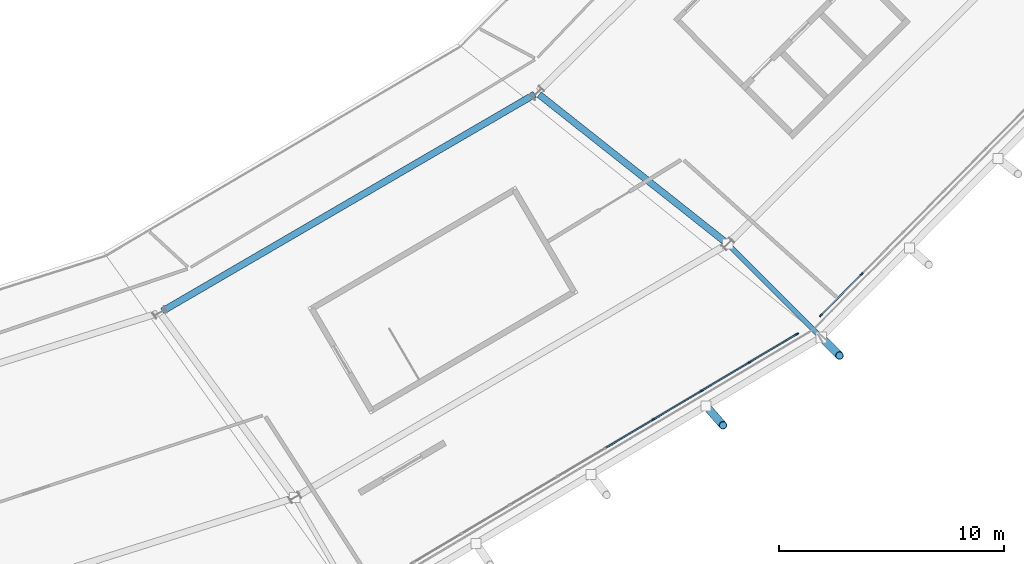
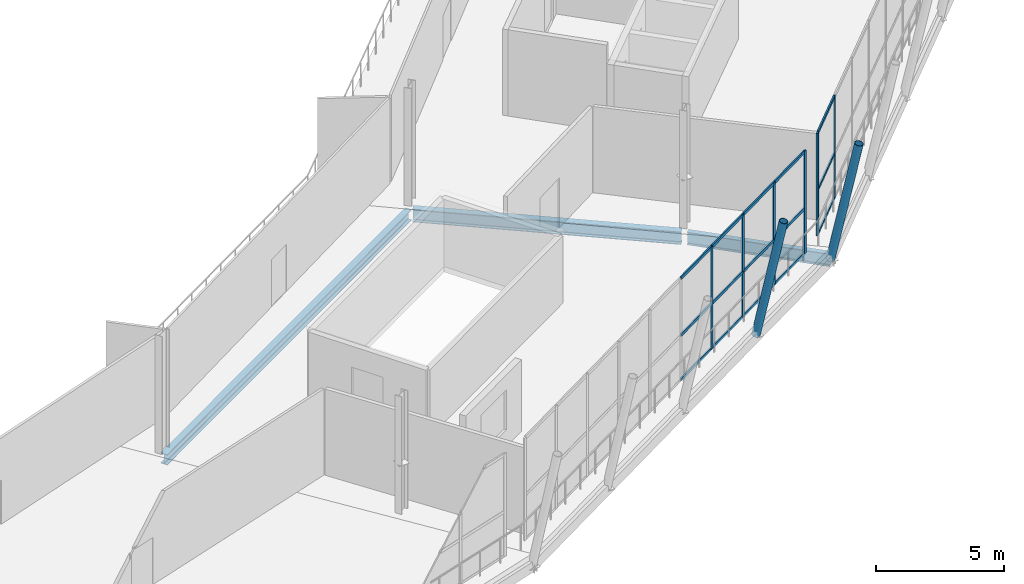
# One storey, part 34 of 99: 23 members, 3 beams, 2 elements without a shape of their own.
"""IFC4 building model written with IfcOpenShell, lengths in metres."""

from ifc_helpers import new_model, si_unit, direction, frame, origin, origin_2d, place, context, subcontext, project, spatial, rectangle, hollow_circle, i_section, extrude, material, material_profile, profile_set, type_object, element, aggregate, save


model = new_model("IFC4")

# Units and contexts
model_context = context("Model", 3, precision=1e-05, world=origin(), true_north=direction((0.0, 1.0)))
body_context = subcontext(model_context, "Body", "Model", "MODEL_VIEW")
ifc_project = project(units=[si_unit("LENGTHUNIT", "METRE"), si_unit("AREAUNIT", "SQUARE_METRE"), si_unit("VOLUMEUNIT", "CUBIC_METRE"), si_unit("PLANEANGLEUNIT", "RADIAN"), si_unit("MASSUNIT", "GRAM", prefix="KILO")], contexts=[model_context])

# Site, building, storey
site_placement = place(None, origin())
site = spatial("IfcSite", under=ifc_project, at=site_placement, CompositionType="ELEMENT")
building_placement = place(site_placement, origin())
building = spatial("IfcBuilding", under=site, at=building_placement, Name="Zlatoyarsky Gate Stadium", CompositionType="ELEMENT")
storey_placement = place(building_placement, frame((0.0, 0.0, 26.199951171875)))
storey = spatial("IfcBuildingStorey", under=building, at=storey_placement, Name="L05", CompositionType="ELEMENT", Elevation=26.199951171875)

# Curtain wall, members
ifc_material_1 = material(Name="Thermally broken anodised aluminium curtain wall", Category="aluminium")
curtain_wall_type = type_object("IfcCurtainWallType", Name="UNITISED SKYBOX RING GLAZING L05", PredefinedType="USERDEFINED", material=ifc_material_1)
curtain_wall_1_placement = place(storey_placement, origin())
curtain_wall_1 = element("IfcCurtainWall", 1, at=curtain_wall_1_placement, inside=storey, type_object=curtain_wall_type, Name="Curtain wall CW-L05-20", ObjectType="UNITISED GLAZING", PredefinedType="USERDEFINED")
ifc_material_2 = material(Name="Anodised aluminium 6063-T6", Category="aluminium")
ifc_material_profile_1 = material_profile(ifc_material_2, rectangle(XDim=0.06494140625, YDim=0.159912109375, at=origin_2d()), Name="ALU 65X160")
ifc_profile_set_1 = profile_set([ifc_material_profile_1], Name="Anodised aluminium 6063-T6")
member_type_1 = type_object("IfcMemberType", Name="ALUMINIUM MULLION 65X160", PredefinedType="MULLION", material=ifc_profile_set_1)
member_1_placement = place(storey_placement, frame((173.45849609375, 21.98779296875, 0.0), z_axis=(0.0, 0.0, 1.0), x_axis=(-0.511577166542, 0.859237337802, 0.0)))
member_1 = element("IfcMember", 2, at=member_1_placement, type_object=member_type_1, Name="CW-UG5 mullion 7", PredefinedType="MULLION", context=body_context, shape_type="SweptSolid", body=[
    extrude(rectangle(XDim=0.06494140625, YDim=0.159912109375, at=origin_2d()), origin(), (0.0, 0.0, 1.0), 4.880126953125),
])
member_2_placement = place(storey_placement, frame((175.593505859375, 23.259033203125, 0.0), z_axis=(0.0, 0.0, 1.0), x_axis=(-0.511577166542, 0.859237337802, 0.0)))
member_2 = element("IfcMember", 3, at=member_2_placement, type_object=member_type_1, Name="CW-UG5 mullion 8", PredefinedType="MULLION", context=body_context, shape_type="SweptSolid", body=[
    extrude(rectangle(XDim=0.06494140625, YDim=0.159912109375, at=origin_2d()), origin(), (0.0, 0.0, 1.0), 4.880126953125),
])
member_3_placement = place(storey_placement, frame((177.728759765625, 24.5302734375, 0.0), z_axis=(0.0, 0.0, 1.0), x_axis=(-0.511577166542, 0.859237337802, 0.0)))
member_3 = element("IfcMember", 4, at=member_3_placement, type_object=member_type_1, Name="CW-UG5 mullion 9", PredefinedType="MULLION", context=body_context, shape_type="SweptSolid", body=[
    extrude(rectangle(XDim=0.06494140625, YDim=0.159912109375, at=origin_2d()), origin(), (0.0, 0.0, 1.0), 4.880126953125),
])
member_4_placement = place(storey_placement, frame((179.8359375, 25.78466796875, 0.0), z_axis=(0.0, 0.0, 1.0), x_axis=(-0.511577166542, 0.859237337802, 0.0)))
member_4 = element("IfcMember", 5, at=member_4_placement, type_object=member_type_1, Name="CW-UG5 mullion 10", PredefinedType="MULLION", context=body_context, shape_type="SweptSolid", body=[
    extrude(rectangle(XDim=0.06494140625, YDim=0.159912109375, at=origin_2d()), origin(), (0.0, 0.0, 1.0), 4.880126953125),
])

curtain_wall_2_placement = place(storey_placement, origin())
curtain_wall_2 = element("IfcCurtainWall", 6, at=curtain_wall_2_placement, inside=storey, type_object=curtain_wall_type, Name="Curtain wall CW-L05-21", ObjectType="UNITISED GLAZING", PredefinedType="USERDEFINED")
member_5_placement = place(storey_placement, frame((180.90234375, 26.619140625, 0.0), z_axis=(0.0, 0.0, 1.0), x_axis=(-0.711033343632, 0.703158292451, 0.0)))
member_5 = element("IfcMember", 7, at=member_5_placement, type_object=member_type_1, Name="CW-UG5 mullion 1", PredefinedType="MULLION", context=body_context, shape_type="SweptSolid", body=[
    extrude(rectangle(XDim=0.06494140625, YDim=0.159912109375, at=origin_2d()), origin(), (0.0, 0.0, 1.0), 4.880126953125),
])
member_6_placement = place(storey_placement, frame((182.715576171875, 28.45263671875, 0.0), z_axis=(0.0, 0.0, 1.0), x_axis=(-0.711033343632, 0.703158292451, 0.0)))
member_6 = element("IfcMember", 8, at=member_6_placement, type_object=member_type_1, Name="CW-UG5 mullion 2", PredefinedType="MULLION", context=body_context, shape_type="SweptSolid", body=[
    extrude(rectangle(XDim=0.06494140625, YDim=0.159912109375, at=origin_2d()), origin(), (0.0, 0.0, 1.0), 4.880126953125),
])

# Member
ifc_material_profile_2 = material_profile(ifc_material_2, rectangle(XDim=0.06494140625, YDim=0.139892578125, at=origin_2d()), Name="ALU 65X140")
ifc_profile_set_2 = profile_set([ifc_material_profile_2], Name="Anodised aluminium 6063-T6")
member_type_2 = type_object("IfcMemberType", Name="ALUMINIUM TRANSOM 65X140", PredefinedType="USERDEFINED", material=ifc_profile_set_2)
member_7_placement = place(storey_placement, frame((171.351318359375, 20.733154296875, 0.032470703125), z_axis=(0.859206295703, 0.511629300788, 0.0), x_axis=(-0.511629300788, 0.859206295703, 0.0)))
member_7 = element("IfcMember", 9, at=member_7_placement, type_object=member_type_2, Name="CW-UG5 transom 6.1", ObjectType="TRANSOM", PredefinedType="USERDEFINED", context=body_context, shape_type="SweptSolid", body=[
    extrude(rectangle(XDim=0.06494140625, YDim=0.139892578125, at=origin_2d()), origin(), (0.0, 0.0, 1.0), 2.419677734375),
])

member_8_placement = place(storey_placement, frame((171.351318359375, 20.733154296875, 2.150146484375), z_axis=(0.859206295703, 0.511629300788, 0.0), x_axis=(-0.511629300788, 0.859206295703, 0.0)))
member_8 = element("IfcMember", 10, at=member_8_placement, type_object=member_type_2, Name="CW-UG5 transom 6.2", ObjectType="TRANSOM", PredefinedType="USERDEFINED", context=body_context, shape_type="SweptSolid", body=[
    extrude(rectangle(XDim=0.06494140625, YDim=0.139892578125, at=origin_2d()), origin(), (0.0, 0.0, 1.0), 2.419677734375),
])

member_9_placement = place(storey_placement, frame((171.351318359375, 20.733154296875, 4.84765625), z_axis=(0.859206295703, 0.511629300788, 0.0), x_axis=(-0.511629300788, 0.859206295703, 0.0)))
member_9 = element("IfcMember", 11, at=member_9_placement, type_object=member_type_2, Name="CW-UG5 transom 6.3", ObjectType="TRANSOM", PredefinedType="USERDEFINED", context=body_context, shape_type="SweptSolid", body=[
    extrude(rectangle(XDim=0.06494140625, YDim=0.139892578125, at=origin_2d()), origin(), (0.0, 0.0, 1.0), 2.419677734375),
])

member_10_placement = place(storey_placement, frame((173.486328125, 22.00439453125, 0.032470703125), z_axis=(0.859277047408, 0.511510464994, 0.0), x_axis=(-0.511510464994, 0.859277047408, 0.0)))
member_10 = element("IfcMember", 12, at=member_10_placement, type_object=member_type_2, Name="CW-UG5 transom 7.1", ObjectType="TRANSOM", PredefinedType="USERDEFINED", context=body_context, shape_type="SweptSolid", body=[
    extrude(rectangle(XDim=0.06494140625, YDim=0.139892578125, at=origin_2d()), origin(), (0.0, 0.0, 1.0), 2.419921875),
])

member_11_placement = place(storey_placement, frame((173.486328125, 22.00439453125, 2.150146484375), z_axis=(0.859277047408, 0.511510464994, 0.0), x_axis=(-0.511510464994, 0.859277047408, 0.0)))
member_11 = element("IfcMember", 13, at=member_11_placement, type_object=member_type_2, Name="CW-UG5 transom 7.2", ObjectType="TRANSOM", PredefinedType="USERDEFINED", context=body_context, shape_type="SweptSolid", body=[
    extrude(rectangle(XDim=0.06494140625, YDim=0.139892578125, at=origin_2d()), origin(), (0.0, 0.0, 1.0), 2.419921875),
])

member_12_placement = place(storey_placement, frame((173.486328125, 22.00439453125, 4.84765625), z_axis=(0.859277047408, 0.511510464994, 0.0), x_axis=(-0.511510464994, 0.859277047408, 0.0)))
member_12 = element("IfcMember", 14, at=member_12_placement, type_object=member_type_2, Name="CW-UG5 transom 7.3", ObjectType="TRANSOM", PredefinedType="USERDEFINED", context=body_context, shape_type="SweptSolid", body=[
    extrude(rectangle(XDim=0.06494140625, YDim=0.139892578125, at=origin_2d()), origin(), (0.0, 0.0, 1.0), 2.419921875),
])

member_13_placement = place(storey_placement, frame((175.62158203125, 23.275634765625, 0.032470703125), z_axis=(0.859277047408, 0.511510464994, 0.0), x_axis=(-0.511510464994, 0.859277047408, 0.0)))
member_13 = element("IfcMember", 15, at=member_13_placement, type_object=member_type_2, Name="CW-UG5 transom 8.1", ObjectType="TRANSOM", PredefinedType="USERDEFINED", context=body_context, shape_type="SweptSolid", body=[
    extrude(rectangle(XDim=0.06494140625, YDim=0.139892578125, at=origin_2d()), origin(), (0.0, 0.0, 1.0), 2.419921875),
])

member_14_placement = place(storey_placement, frame((175.62158203125, 23.275634765625, 2.150146484375), z_axis=(0.859277047408, 0.511510464994, 0.0), x_axis=(-0.511510464994, 0.859277047408, 0.0)))
member_14 = element("IfcMember", 16, at=member_14_placement, type_object=member_type_2, Name="CW-UG5 transom 8.2", ObjectType="TRANSOM", PredefinedType="USERDEFINED", context=body_context, shape_type="SweptSolid", body=[
    extrude(rectangle(XDim=0.06494140625, YDim=0.139892578125, at=origin_2d()), origin(), (0.0, 0.0, 1.0), 2.419921875),
])

member_15_placement = place(storey_placement, frame((175.62158203125, 23.275634765625, 4.84765625), z_axis=(0.859277047408, 0.511510464994, 0.0), x_axis=(-0.511510464994, 0.859277047408, 0.0)))
member_15 = element("IfcMember", 17, at=member_15_placement, type_object=member_type_2, Name="CW-UG5 transom 8.3", ObjectType="TRANSOM", PredefinedType="USERDEFINED", context=body_context, shape_type="SweptSolid", body=[
    extrude(rectangle(XDim=0.06494140625, YDim=0.139892578125, at=origin_2d()), origin(), (0.0, 0.0, 1.0), 2.419921875),
])

member_16_placement = place(storey_placement, frame((177.756591796875, 24.546875, 0.032470703125), z_axis=(0.859283253325, 0.511500039644, 0.0), x_axis=(-0.511500039644, 0.859283253325, 0.0)))
member_16 = element("IfcMember", 18, at=member_16_placement, type_object=member_type_2, Name="CW-UG5 transom 9.1", ObjectType="TRANSOM", PredefinedType="USERDEFINED", context=body_context, shape_type="SweptSolid", body=[
    extrude(rectangle(XDim=0.06494140625, YDim=0.139892578125, at=origin_2d()), origin(), (0.0, 0.0, 1.0), 2.387451171875),
])

member_17_placement = place(storey_placement, frame((177.756591796875, 24.546875, 2.150146484375), z_axis=(0.859283253325, 0.511500039644, 0.0), x_axis=(-0.511500039644, 0.859283253325, 0.0)))
member_17 = element("IfcMember", 19, at=member_17_placement, type_object=member_type_2, Name="CW-UG5 transom 9.2", ObjectType="TRANSOM", PredefinedType="USERDEFINED", context=body_context, shape_type="SweptSolid", body=[
    extrude(rectangle(XDim=0.06494140625, YDim=0.139892578125, at=origin_2d()), origin(), (0.0, 0.0, 1.0), 2.387451171875),
])

member_18_placement = place(storey_placement, frame((177.756591796875, 24.546875, 4.84765625), z_axis=(0.859283253325, 0.511500039644, 0.0), x_axis=(-0.511500039644, 0.859283253325, 0.0)))
member_18 = element("IfcMember", 20, at=member_18_placement, type_object=member_type_2, Name="CW-UG5 transom 9.3", ObjectType="TRANSOM", PredefinedType="USERDEFINED", context=body_context, shape_type="SweptSolid", body=[
    extrude(rectangle(XDim=0.06494140625, YDim=0.139892578125, at=origin_2d()), origin(), (0.0, 0.0, 1.0), 2.387451171875),
])

aggregate(curtain_wall_1, [member_1, member_2, member_3, member_4, member_7, member_8, member_9, member_10, member_11, member_12, member_13, member_14, member_15, member_16, member_17, member_18])

member_19_placement = place(storey_placement, frame((180.92529296875, 26.642333984375, 0.032470703125), z_axis=(0.703113298476, 0.711077836461, 0.0), x_axis=(-0.711077836461, 0.703113298476, 0.0)))
member_19 = element("IfcMember", 21, at=member_19_placement, type_object=member_type_2, Name="CW-UG5 transom 1.1", ObjectType="TRANSOM", PredefinedType="USERDEFINED", context=body_context, shape_type="SweptSolid", body=[
    extrude(rectangle(XDim=0.06494140625, YDim=0.139892578125, at=origin_2d()), origin(), (0.0, 0.0, 1.0), 2.513671875),
])

member_20_placement = place(storey_placement, frame((180.92529296875, 26.642333984375, 2.150146484375), z_axis=(0.703113298476, 0.711077836461, 0.0), x_axis=(-0.711077836461, 0.703113298476, 0.0)))
member_20 = element("IfcMember", 22, at=member_20_placement, type_object=member_type_2, Name="CW-UG5 transom 1.2", ObjectType="TRANSOM", PredefinedType="USERDEFINED", context=body_context, shape_type="SweptSolid", body=[
    extrude(rectangle(XDim=0.06494140625, YDim=0.139892578125, at=origin_2d()), origin(), (0.0, 0.0, 1.0), 2.513671875),
])

member_21_placement = place(storey_placement, frame((180.92529296875, 26.642333984375, 4.84765625), z_axis=(0.703113298476, 0.711077836461, 0.0), x_axis=(-0.711077836461, 0.703113298476, 0.0)))
member_21 = element("IfcMember", 23, at=member_21_placement, type_object=member_type_2, Name="CW-UG5 transom 1.3", ObjectType="TRANSOM", PredefinedType="USERDEFINED", context=body_context, shape_type="SweptSolid", body=[
    extrude(rectangle(XDim=0.06494140625, YDim=0.139892578125, at=origin_2d()), origin(), (0.0, 0.0, 1.0), 2.513671875),
])

aggregate(curtain_wall_2, [member_5, member_6, member_19, member_20, member_21])

# Beam
ifc_material_3 = material(Name="Steel S355", Category="steel")
ifc_material_profile_3 = material_profile(ifc_material_3, i_section(OverallWidth=0.219970703125, OverallDepth=0.60009765625, WebThickness=0.011962890625, FlangeThickness=0.01904296875, FilletRadius=0.02392578125, at=origin_2d()), Name="IPE 600")
ifc_profile_set_3 = profile_set([ifc_material_profile_3], Name="Steel S355")
beam_type_1 = type_object("IfcBeamType", Name="STEEL CANTILEVER FLOOR BEAM IPE 600", PredefinedType="BEAM", material=ifc_profile_set_3)
beam_1_placement = place(storey_placement, frame((176.845703125, 29.71044921875, -0.56005859375), z_axis=(0.707127980293, -0.707085581445, 0.0), x_axis=(0.707085581445, 0.707127980293, 0.0)))
element("IfcBeam", 24, at=beam_1_placement, inside=storey, type_object=beam_type_1, Name="Beam B-IPE600 BM-L05-OUT-21", PredefinedType="BEAM", context=body_context, shape_type="SweptSolid", body=[
    extrude(i_section(OverallWidth=0.219970703125, OverallDepth=0.60009765625, WebThickness=0.011962890625, FlangeThickness=0.01904296875, FilletRadius=0.02392578125, at=origin_2d()), origin(), (0.0, 0.0, 1.0), 5.75830078125),
])

# Members
ifc_material_profile_4 = material_profile(ifc_material_3, hollow_circle(Radius=0.177734375, WallThickness=0.02001953125, at=origin_2d()), Name="CHS 355.6X20")
ifc_profile_set_4 = profile_set([ifc_material_profile_4], Name="Steel S355")
member_type_3 = type_object("IfcMemberType", Name="STEEL LEANING RIB RING STRUT CHS 355.6X20", PredefinedType="STRUT", material=ifc_profile_set_4)
member_22_placement = place(storey_placement, frame((175.7978515625, 22.584716796875, -0.510009765625), z_axis=(0.130436760635, -0.14870213522, 0.98024176939), x_axis=(0.751768408011, 0.659427221698, 0.0)))
element("IfcMember", 25, at=member_22_placement, inside=storey, type_object=member_type_3, Name="Outward-leaning bowl louvre fin rib L05 20-3", PredefinedType="STRUT", context=body_context, shape_type="SweptSolid", body=[
    extrude(hollow_circle(Radius=0.177734375, WallThickness=0.02001953125, at=origin_2d()), origin(), (0.0, 0.0, 1.0), 5.774169921875),
])
member_23_placement = place(storey_placement, frame((180.91748046875, 25.638916015625, -0.56005859375), z_axis=(0.139533217798, -0.139533217798, 0.980337167643), x_axis=(0.707106781187, 0.707106781187, 0.0)))
element("IfcMember", 26, at=member_23_placement, inside=storey, type_object=member_type_3, Name="Upper leaning rib ring strut 21", PredefinedType="STRUT", context=body_context, shape_type="SweptSolid", body=[
    extrude(hollow_circle(Radius=0.177734375, WallThickness=0.02001953125, at=origin_2d()), origin(), (0.0, 0.0, 1.0), 5.82470703125),
])

# Beams
ifc_material_profile_5 = material_profile(ifc_material_3, i_section(OverallWidth=0.300048828125, OverallDepth=0.5, WebThickness=0.014404296875, FlangeThickness=0.028076171875, FilletRadius=0.027099609375, at=origin_2d()), Name="HEB 500")
ifc_profile_set_5 = profile_set([ifc_material_profile_5], Name="Steel S355")
beam_type_2 = type_object("IfcBeamType", Name="STEEL PRIMARY GIRDER HEB 500", PredefinedType="BEAM", material=ifc_profile_set_5)
beam_2_placement = place(storey_placement, frame((151.603759765625, 26.7998046875, -0.510009765625), z_axis=(0.864054462945, 0.503398336375, 0.0), x_axis=(-0.503398336375, 0.864054462945, 0.0)))
element("IfcBeam", 27, at=beam_2_placement, inside=storey, type_object=beam_type_2, Name="Beam G-HEB500 BM-L05-CRB-20", PredefinedType="BEAM", context=body_context, shape_type="SweptSolid", body=[
    extrude(i_section(OverallWidth=0.300048828125, OverallDepth=0.5, WebThickness=0.014404296875, FlangeThickness=0.028076171875, FilletRadius=0.027099609375, at=origin_2d()), origin(), (0.0, 0.0, 1.0), 19.1748046875),
])
ifc_material_profile_6 = material_profile(ifc_material_3, i_section(OverallWidth=0.300048828125, OverallDepth=0.60009765625, WebThickness=0.015380859375, FlangeThickness=0.030029296875, FilletRadius=0.027099609375, at=origin_2d()), Name="HEB 600")
ifc_profile_set_6 = profile_set([ifc_material_profile_6], Name="Steel S355")
beam_type_3 = type_object("IfcBeamType", Name="STEEL PRIMARY GIRDER HEB 600", PredefinedType="BEAM", material=ifc_profile_set_6)
beam_3_placement = place(storey_placement, frame((168.36962890625, 36.4384765625, -0.56005859375), z_axis=(0.78404348542, -0.620705898933, 0.0), x_axis=(0.620705898933, 0.78404348542, 0.0)))
element("IfcBeam", 28, at=beam_3_placement, inside=storey, type_object=beam_type_3, Name="Beam G-HEB600 BM-L05-RBC-21", PredefinedType="BEAM", context=body_context, shape_type="SweptSolid", body=[
    extrude(i_section(OverallWidth=0.300048828125, OverallDepth=0.60009765625, WebThickness=0.015380859375, FlangeThickness=0.030029296875, FilletRadius=0.027099609375, at=origin_2d()), origin(), (0.0, 0.0, 1.0), 10.58251953125),
])

save(model, "model.ifc")
